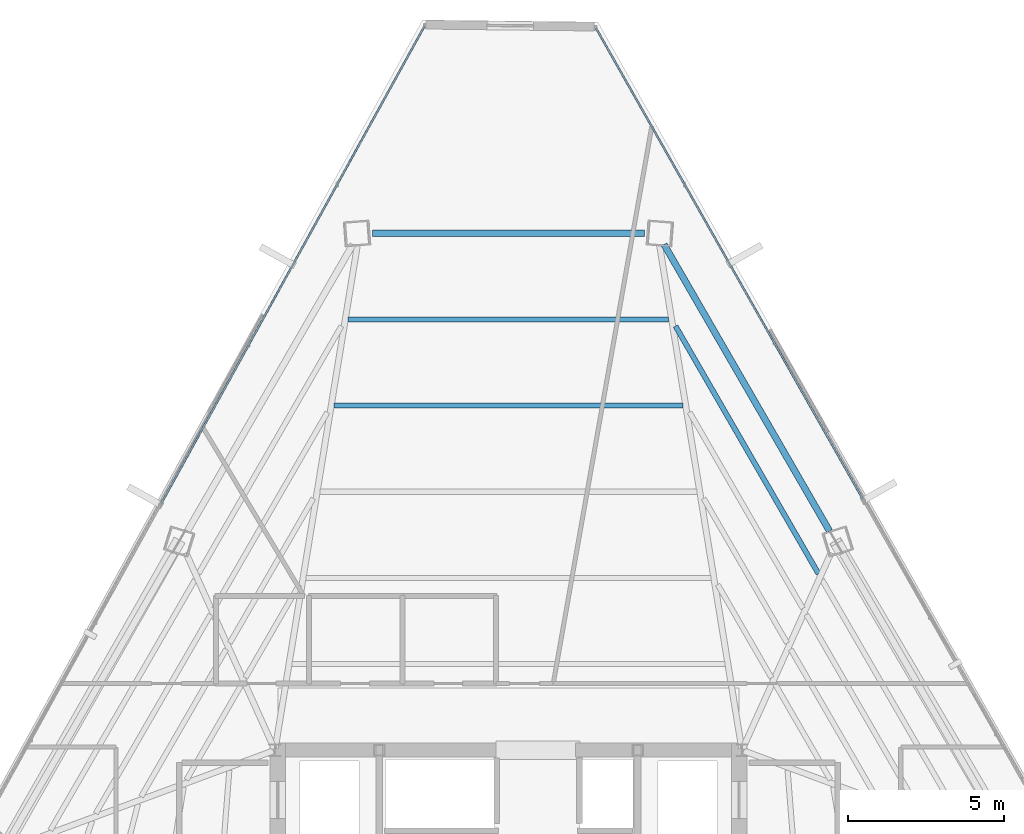
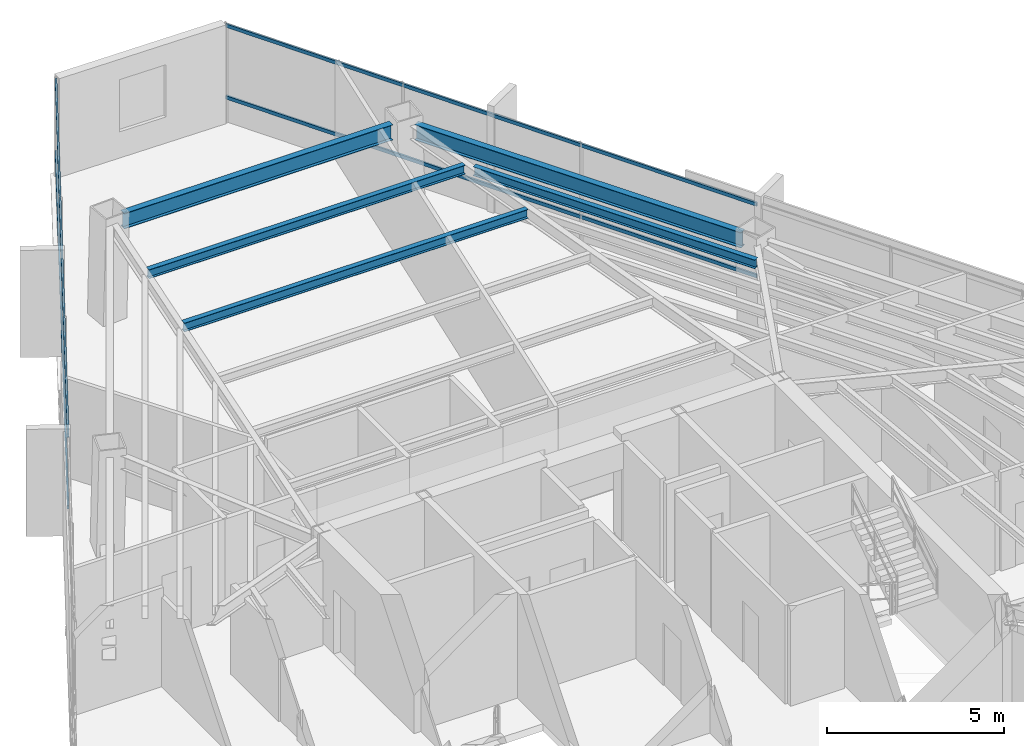
# One storey, part 30 of 40: 5 beams, 4 members, 2 elements without a shape of their own.
"""IFC4 building model written with IfcOpenShell, lengths in metres."""

from ifc_helpers import new_model, si_unit, direction, frame, origin, origin_2d, place, context, subcontext, project, spatial, hollow_rectangle, i_section, extrude, source, transform, mapped, material, material_profile, profile_set, type_object, type_shapes, element, aggregate, save


model = new_model("IFC4")

# Units and contexts
model_context = context("Model", 3, precision=1e-05, world=origin(), true_north=direction((0.0, 1.0)))
body_context = subcontext(model_context, "Body", "Model", "MODEL_VIEW")
ifc_project = project(units=[si_unit("LENGTHUNIT", "METRE"), si_unit("AREAUNIT", "SQUARE_METRE"), si_unit("VOLUMEUNIT", "CUBIC_METRE"), si_unit("PLANEANGLEUNIT", "RADIAN"), si_unit("MASSUNIT", "GRAM", prefix="KILO")], contexts=[model_context])

# Site, building, storey
site_placement = place(None, origin())
site = spatial("IfcSite", under=ifc_project, at=site_placement, CompositionType="ELEMENT")
building_placement = place(site_placement, origin())
building = spatial("IfcBuilding", under=site, at=building_placement, Name="Caelisora Broadcast Tower", CompositionType="ELEMENT")
storey_placement = place(building_placement, frame((0.0, 0.0, 213.25)))
storey = spatial("IfcBuildingStorey", under=building, at=storey_placement, Name="L56", CompositionType="ELEMENT", Elevation=213.25)

# Beams
ifc_material_1 = material(Name="Steel Grade 350 (AS/NZS 3679.1)", Category="steel")
ifc_material_profile_1 = material_profile(ifc_material_1, i_section(OverallWidth=0.208984375, OverallDepth=0.532958984375, WebThickness=0.01025390625, FlangeThickness=0.015625, at=origin_2d()), Name="Steel Grade 350 (AS/NZS 3679.1)")
ifc_profile_set_1 = profile_set([ifc_material_profile_1], Name="Steel Grade 350 (AS/NZS 3679.1)")
beam_type_1 = type_object("IfcBeamType", Name="PG05", PredefinedType="BEAM", material=ifc_profile_set_1)
shared_shape_1 = source(origin(), body_context, "Body", "SweptSolid", [
    extrude(i_section(OverallWidth=0.208984375, OverallDepth=0.532958984375, WebThickness=0.01025390625, FlangeThickness=0.015625, at=origin_2d()), origin(), (0.0, 0.0, 1.0), 8.7470703125),
])
beam_1_placement = place(storey_placement, frame((42.37353515625, 46.605224609375, 3.133544921875), z_axis=(-1.0, 0.0, 0.0), x_axis=(0.0, -1.0, 0.0)))
element("IfcBeam", 1, at=beam_1_placement, inside=storey, type_object=beam_type_1, Name="L56 beam PG05", PredefinedType="BEAM", context=body_context, shape_type="MappedRepresentation", body=[
    mapped(shared_shape_1, transform((0.0, 0.0, 0.0), scale=1.0)),
])
shared_shape_2 = source(origin(), body_context, "Body", "SweptSolid", [
    extrude(i_section(OverallWidth=0.208984375, OverallDepth=0.532958984375, WebThickness=0.01025390625, FlangeThickness=0.015625, at=origin_2d()), origin(), (0.0, 0.0, 1.0), 10.62255859375),
])
type_shapes(beam_type_1, [shared_shape_1, shared_shape_2])
beam_2_placement = place(storey_placement, frame((48.308837890625, 37.04541015625, 3.133544921875), z_axis=(-0.499997664454, 0.866026752208, 0.0), x_axis=(-0.866026752208, -0.499997664454, 0.0)))
element("IfcBeam", 2, at=beam_2_placement, inside=storey, type_object=beam_type_1, Name="L56 beam PG05", PredefinedType="BEAM", context=body_context, shape_type="MappedRepresentation", body=[
    mapped(shared_shape_2, transform((0.0, 0.0, 0.0), scale=1.0)),
])
ifc_material_profile_2 = material_profile(ifc_material_1, i_section(OverallWidth=0.166015625, OverallDepth=0.30712890625, WebThickness=0.006591796875, FlangeThickness=0.01171875, at=origin_2d()), Name="Steel Grade 350 (AS/NZS 3679.1)")
ifc_profile_set_2 = profile_set([ifc_material_profile_2], Name="Steel Grade 350 (AS/NZS 3679.1)")
beam_type_2 = type_object("IfcBeamType", Name="SB03", PredefinedType="JOIST", material=ifc_profile_set_2)
shared_shape_3 = source(origin(), body_context, "Body", "SweptSolid", [
    extrude(i_section(OverallWidth=0.166015625, OverallDepth=0.30712890625, WebThickness=0.006591796875, FlangeThickness=0.01171875, at=origin_2d()), origin(), (0.0, 0.0, 1.0), 11.19873046875),
])
beam_3_placement = place(storey_placement, frame((43.599365234375, 41.070068359375, 3.246337890625), z_axis=(-1.0, 0.0, 0.0), x_axis=(0.0, -1.0, 0.0)))
element("IfcBeam", 3, at=beam_3_placement, inside=storey, type_object=beam_type_2, Name="L56 beam SB03", PredefinedType="JOIST", context=body_context, shape_type="MappedRepresentation", body=[
    mapped(shared_shape_3, transform((0.0, 0.0, 0.0), scale=1.0)),
])
shared_shape_4 = source(origin(), body_context, "Body", "SweptSolid", [
    extrude(i_section(OverallWidth=0.166015625, OverallDepth=0.30712890625, WebThickness=0.006591796875, FlangeThickness=0.01171875, at=origin_2d()), origin(), (0.0, 0.0, 1.0), 10.294921875),
])
beam_4_placement = place(storey_placement, frame((43.1474609375, 43.837646484375, 3.246337890625), z_axis=(-1.0, 0.0, 0.0), x_axis=(0.0, -1.0, 0.0)))
element("IfcBeam", 4, at=beam_4_placement, inside=storey, type_object=beam_type_2, Name="L56 beam SB03", PredefinedType="JOIST", context=body_context, shape_type="MappedRepresentation", body=[
    mapped(shared_shape_4, transform((0.0, 0.0, 0.0), scale=1.0)),
])
shared_shape_5 = source(origin(), body_context, "Body", "SweptSolid", [
    extrude(i_section(OverallWidth=0.166015625, OverallDepth=0.30712890625, WebThickness=0.006591796875, FlangeThickness=0.01171875, at=origin_2d()), origin(), (0.0, 0.0, 1.0), 9.1826171875),
])
type_shapes(beam_type_2, [shared_shape_3, shared_shape_4, shared_shape_5])
beam_5_placement = place(storey_placement, frame((47.956787109375, 35.670166015625, 3.246337890625), z_axis=(-0.49999939544, 0.866025752827, 0.0), x_axis=(-0.866025752827, -0.49999939544, 0.0)))
element("IfcBeam", 5, at=beam_5_placement, inside=storey, type_object=beam_type_2, Name="L56 beam SB03", PredefinedType="JOIST", context=body_context, shape_type="MappedRepresentation", body=[
    mapped(shared_shape_5, transform((0.0, 0.0, 0.0), scale=1.0)),
])

# Curtain wall, members
ifc_material_2 = material(Name="Unitised Aluminium and Low-E Glass Curtain Wall", Category="glass")
curtain_wall_type = type_object("IfcCurtainWallType", Name="CW-Z4", PredefinedType="NOTDEFINED", material=ifc_material_2)
curtain_wall_1_placement = place(storey_placement, origin())
curtain_wall_1 = element("IfcCurtainWall", 6, at=curtain_wall_1_placement, inside=storey, type_object=curtain_wall_type, Name="L56 curtain wall CW-Z4", PredefinedType="NOTDEFINED")
ifc_material_3 = material(Name="Aluminium 6063-T6 Anodised Terracotta Bronze", Category="aluminium")
ifc_material_profile_3 = material_profile(ifc_material_3, hollow_rectangle(XDim=0.06005859375, YDim=0.1201171875, WallThickness=0.0029296875, at=origin_2d()), Name="Aluminium 6063-T6 Anodised Terracotta Bronze")
ifc_profile_set_3 = profile_set([ifc_material_profile_3], Name="Aluminium 6063-T6 Anodised Terracotta Bronze")
member_type = type_object("IfcMemberType", Name="CWT-03", PredefinedType="USERDEFINED", material=ifc_profile_set_3)
shared_shape_6 = source(origin(), body_context, "Body", "SweptSolid", [
    extrude(hollow_rectangle(XDim=0.06005859375, YDim=0.1201171875, WallThickness=0.0029296875, at=origin_2d()), origin(), (0.0, 0.0, 1.0), 17.377197265625),
])
member_1_placement = place(storey_placement, frame((40.80859375, 53.197509765625, 0.85009765625), z_axis=(0.492953726146, -0.870055529193, 0.0), x_axis=(0.870055529193, 0.492953726146, 0.0)))
member_1 = element("IfcMember", 7, at=member_1_placement, type_object=member_type, Name="L56-CW-B01 transom #1", ObjectType="TRANSOM", PredefinedType="USERDEFINED", context=body_context, shape_type="MappedRepresentation", body=[
    mapped(shared_shape_6, transform((0.0, 0.0, 0.0), scale=1.0)),
])
member_2_placement = place(storey_placement, frame((40.80859375, 53.197509765625, 3.320068359375), z_axis=(0.492953726146, -0.870055529193, 0.0), x_axis=(0.870055529193, 0.492953726146, 0.0)))
member_2 = element("IfcMember", 8, at=member_2_placement, type_object=member_type, Name="L56-CW-B01 transom #2", ObjectType="TRANSOM", PredefinedType="USERDEFINED", context=body_context, shape_type="MappedRepresentation", body=[
    mapped(shared_shape_6, transform((0.0, 0.0, 0.0), scale=1.0)),
])
aggregate(curtain_wall_1, [member_1, member_2])

curtain_wall_2_placement = place(storey_placement, origin())
curtain_wall_2 = element("IfcCurtainWall", 9, at=curtain_wall_2_placement, inside=storey, type_object=curtain_wall_type, Name="L56 curtain wall CW-Z4", PredefinedType="NOTDEFINED")
shared_shape_7 = source(origin(), body_context, "Body", "SweptSolid", [
    extrude(hollow_rectangle(XDim=0.06005859375, YDim=0.1201171875, WallThickness=0.0029296875, at=origin_2d()), origin(), (0.0, 0.0, 1.0), 17.500244140625),
])
type_shapes(member_type, [shared_shape_6, shared_shape_7])
member_3_placement = place(storey_placement, frame((26.852294921875, 37.935302734375, 0.85009765625), z_axis=(0.482948257933, 0.875648890914, 0.0), x_axis=(-0.875648890914, 0.482948257933, 0.0)))
member_3 = element("IfcMember", 10, at=member_3_placement, type_object=member_type, Name="L56-CW-B11 transom #1", ObjectType="TRANSOM", PredefinedType="USERDEFINED", context=body_context, shape_type="MappedRepresentation", body=[
    mapped(shared_shape_7, transform((0.0, 0.0, 0.0), scale=1.0)),
])
member_4_placement = place(storey_placement, frame((26.852294921875, 37.935302734375, 3.320068359375), z_axis=(0.482948257933, 0.875648890914, 0.0), x_axis=(-0.875648890914, 0.482948257933, 0.0)))
member_4 = element("IfcMember", 11, at=member_4_placement, type_object=member_type, Name="L56-CW-B11 transom #2", ObjectType="TRANSOM", PredefinedType="USERDEFINED", context=body_context, shape_type="MappedRepresentation", body=[
    mapped(shared_shape_7, transform((0.0, 0.0, 0.0), scale=1.0)),
])
aggregate(curtain_wall_2, [member_3, member_4])

save(model, "model.ifc")
